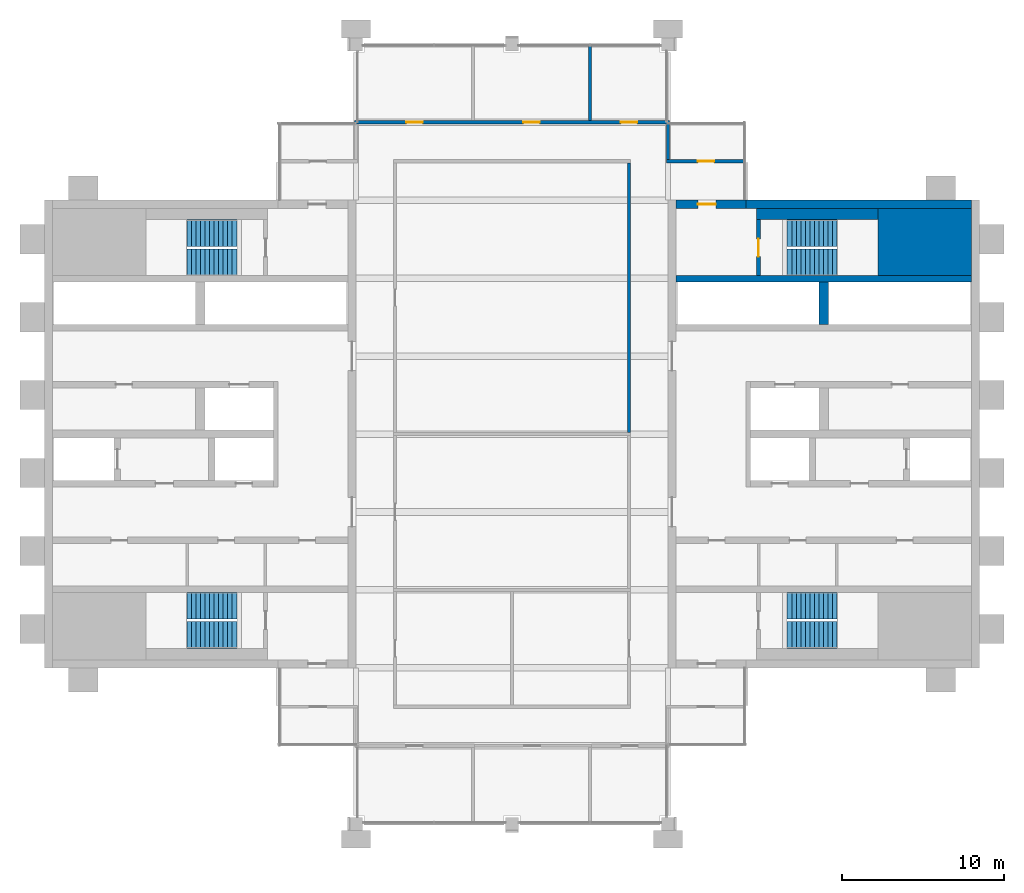
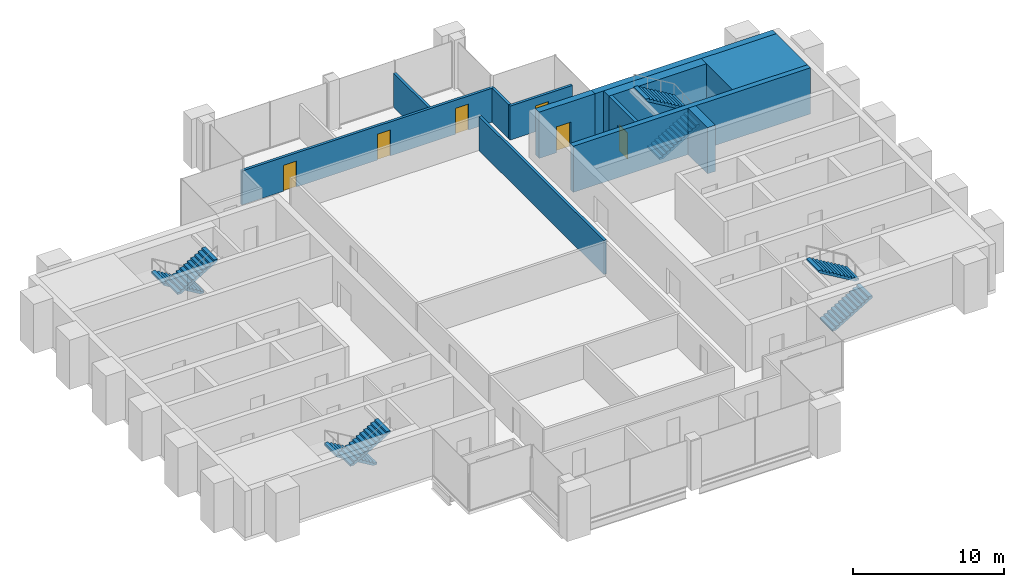
# One storey, part 10 of 11: 12 walls, 8 stair flights, 6 doors, 6 openings, 4 elements without a shape of their own.
"""IFC4 building model written with IfcOpenShell, lengths in metres."""

from ifc_helpers import new_model, si_unit, direction, frame, frame_2d, origin, place, context, subcontext, project, spatial, polyline, rectangle, outline, extrude, material, layer, layer_set, type_object, element, fill, aggregate, save


model = new_model("IFC4")

# Units and contexts
model_context = context("Model", 3, precision=1e-05, world=origin(), true_north=direction((0.0, 1.0)))
body_context = subcontext(model_context, "Body", "Model", "MODEL_VIEW")
ifc_project = project(units=[si_unit("LENGTHUNIT", "METRE"), si_unit("AREAUNIT", "SQUARE_METRE"), si_unit("VOLUMEUNIT", "CUBIC_METRE"), si_unit("PLANEANGLEUNIT", "RADIAN"), si_unit("MASSUNIT", "GRAM", prefix="KILO")], contexts=[model_context])

# Site, building, storey
site_placement = place(None, origin())
site = spatial("IfcSite", under=ifc_project, at=site_placement, CompositionType="ELEMENT")
building_placement = place(site_placement, origin())
building = spatial("IfcBuilding", under=site, at=building_placement, Name="Baori Bourse Tower", CompositionType="ELEMENT")
storey_placement = place(building_placement, frame((0.0, 0.0, 354.300048828125)))
storey = spatial("IfcBuildingStorey", under=building, at=storey_placement, Name="L79", CompositionType="ELEMENT", Elevation=354.300048828125)

# Walls
ifc_material_1 = material(Name="Concrete f'c 40 MPa", Category="concrete")
wall_type_1 = type_object("IfcWallType", Name="Core corner block f'c 40", PredefinedType="SHEAR", material=ifc_material_1)
wall_1_placement = place(storey_placement, frame((51.35009765625, 35.824951171875, 0.0), z_axis=(0.0, 0.0, 1.0), x_axis=(1.0, 0.0, 0.0)))
element("IfcWall", 1, at=wall_1_placement, inside=storey, type_object=wall_type_1, Name="Core wall E22", PredefinedType="SHEAR", context=body_context, shape_type="SweptSolid", body=[
    extrude(rectangle(XDim=5.75, YDim=4.14990234375, at=frame_2d((2.875, 0.0))), origin(), (0.0, 0.0, 1.0), 3.75),
])
ifc_material_2 = material(Name="Concrete f'c 40 MPa", Category="concrete")
ifc_layer_1 = layer(ifc_material_2, 0.5)
ifc_layer_set_1 = layer_set([ifc_layer_1], Name="Core wall 500 f'c 40")
wall_type_2 = type_object("IfcWallType", Name="Core wall 500 f'c 40", PredefinedType="SHEAR", material=ifc_layer_set_1)
wall_2_placement = place(storey_placement, frame((43.199951171875, 38.14990234375, 0.0), z_axis=(0.0, 0.0, 1.0), x_axis=(1.0, 0.0, 0.0)))
element("IfcWall", 2, at=wall_2_placement, inside=storey, type_object=wall_type_2, Name="Core wall E25", PredefinedType="SHEAR", context=body_context, shape_type="SweptSolid", body=[
    extrude(rectangle(XDim=13.900146484375, YDim=0.5, at=frame_2d((6.9501953125, 0.0))), origin(), (0.0, 0.0, 1.0), 3.75),
])

# Wall, opening, door
wall_3_placement = place(storey_placement, frame((38.89990234375, 38.14990234375, 0.0), z_axis=(0.0, 0.0, 1.0), x_axis=(1.0, 0.0, 0.0)))
wall_3 = element("IfcWall", 3, at=wall_3_placement, inside=storey, type_object=wall_type_2, Name="Core wall E26", PredefinedType="SHEAR", context=body_context, shape_type="SweptSolid", body=[
    extrude(rectangle(XDim=4.300048828125, YDim=0.5, at=frame_2d((2.14990234375, 0.0))), origin(), (0.0, 0.0, 1.0), 3.75),
])
opening_1_placement = place(wall_3_placement, frame((1.35009765625, 0.0, 0.0)))
opening_1 = element("IfcOpeningElement", 4, at=opening_1_placement, cuts=wall_3, Name="Opening L79-D204", PredefinedType="OPENING", context=body_context, shape_type="SweptSolid", body=[
    extrude(rectangle(XDim=1.10009765625, YDim=2.10009765625, at=frame_2d((0.550048828125, 1.050048828125))), frame((0.0, 0.260009765625, 0.0), z_axis=(0.0, -1.0, 0.0), x_axis=(1.0, 0.0, 0.0)), (0.0, 0.0, 1.0), 0.52001953125),
])
ifc_material_3 = material(Name="Painted steel door", Category="steel")
door_type_1 = type_object("IfcDoorType", Name="Stair door 1100", OperationType="SINGLE_SWING_LEFT", PredefinedType="DOOR", material=ifc_material_3)
door_1_placement = place(opening_1_placement, origin())
door_1 = element("IfcDoor", 5, at=door_1_placement, inside=storey, type_object=door_type_1, Name="Stair vestibule door B E L79", OperationType="SINGLE_SWING_LEFT", OverallHeight=2.10009765625, OverallWidth=1.10009765625, PredefinedType="DOOR", context=body_context, shape_type="SweptSolid", body=[
    extrude(rectangle(XDim=1.10009765625, YDim=2.10009765625, at=frame_2d((0.550048828125, 1.050048828125))), frame((0.0, 0.02490234375, 0.0), z_axis=(0.0, -1.0, 0.0), x_axis=(1.0, 0.0, 0.0)), (0.0, 0.0, 1.0), 0.050048828125),
])
fill(opening_1, door_1)

ifc_material_4 = material(Name="Gypsum board partition")
ifc_layer_2 = layer(ifc_material_4, 0.199951171875)
ifc_layer_set_2 = layer_set([ifc_layer_2], Name="Plant room wall 200")
wall_type_3 = type_object("IfcWallType", Name="Plant room wall 200", PredefinedType="PARTITIONING", material=ifc_layer_set_2)
wall_4_placement = place(storey_placement, frame((38.300048828125, 40.800048828125, 0.0), z_axis=(0.0, 0.0, 1.0), x_axis=(1.0, 0.0, 0.0)))
wall_4 = element("IfcWall", 6, at=wall_4_placement, inside=storey, type_object=wall_type_3, Name="Partition", PredefinedType="PARTITIONING", context=body_context, shape_type="SweptSolid", body=[
    extrude(rectangle(XDim=4.800048828125, YDim=0.199951171875, at=frame_2d((2.39990234375, 0.0))), origin(), (0.0, 0.0, 1.0), 2.75927734375),
])
opening_2_placement = place(wall_4_placement, frame((1.949951171875, 0.0, 0.0)))
opening_2 = element("IfcOpeningElement", 7, at=opening_2_placement, cuts=wall_4, Name="Opening L79-D07", PredefinedType="OPENING", context=body_context, shape_type="SweptSolid", body=[
    extrude(rectangle(XDim=1.0, YDim=2.10009765625, at=frame_2d((0.5, 1.050048828125))), frame((0.0, 0.10986328125, 0.0), z_axis=(0.0, -1.0, 0.0), x_axis=(1.0, 0.0, 0.0)), (0.0, 0.0, 1.0), 0.219970703125),
])
ifc_material_5 = material(Name="Timber door leaf", Category="wood")
door_type_2 = type_object("IfcDoorType", Name="Door 1000 x 2100", OperationType="SINGLE_SWING_LEFT", PredefinedType="DOOR", material=ifc_material_5)
door_2_placement = place(opening_2_placement, origin())
door_2 = element("IfcDoor", 8, at=door_2_placement, inside=storey, type_object=door_type_2, Name="Door", OperationType="SINGLE_SWING_LEFT", OverallHeight=2.10009765625, OverallWidth=1.0, PredefinedType="DOOR", context=body_context, shape_type="SweptSolid", body=[
    extrude(rectangle(XDim=1.0, YDim=2.10009765625, at=frame_2d((0.5, 1.050048828125))), frame((0.0, 0.02490234375, 0.0), z_axis=(0.0, -1.0, 0.0), x_axis=(1.0, 0.0, 0.0)), (0.0, 0.0, 1.0), 0.050048828125),
])
fill(opening_2, door_2)

# Wall, openings, doors
wall_5_placement = place(storey_placement, frame((19.10009765625, 43.199951171875, 0.0), z_axis=(0.0, 0.0, 1.0), x_axis=(1.0, 0.0, 0.0)))
wall_5 = element("IfcWall", 9, at=wall_5_placement, inside=storey, type_object=wall_type_3, Name="Partition", PredefinedType="PARTITIONING", context=body_context, shape_type="SweptSolid", body=[
    extrude(rectangle(XDim=19.39990234375, YDim=0.199951171875, at=frame_2d((9.699951171875, 0.0))), origin(), (0.0, 0.0, 1.0), 2.75927734375),
])
opening_3_placement = place(wall_5_placement, frame((3.199951171875, 0.0, 0.0)))
opening_3 = element("IfcOpeningElement", 10, at=opening_3_placement, cuts=wall_5, Name="Opening L79-D08", PredefinedType="OPENING", context=body_context, shape_type="SweptSolid", body=[
    extrude(rectangle(XDim=1.0, YDim=2.10009765625, at=frame_2d((0.5, 1.050048828125))), frame((0.0, 0.10986328125, 0.0), z_axis=(0.0, -1.0, 0.0), x_axis=(1.0, 0.0, 0.0)), (0.0, 0.0, 1.0), 0.219970703125),
])
opening_4_placement = place(wall_5_placement, frame((10.39990234375, 0.0, 0.0)))
opening_4 = element("IfcOpeningElement", 11, at=opening_4_placement, cuts=wall_5, Name="Opening L79-D09", PredefinedType="OPENING", context=body_context, shape_type="SweptSolid", body=[
    extrude(rectangle(XDim=1.0, YDim=2.10009765625, at=frame_2d((0.5, 1.050048828125))), frame((0.0, 0.10986328125, 0.0), z_axis=(0.0, -1.0, 0.0), x_axis=(1.0, 0.0, 0.0)), (0.0, 0.0, 1.0), 0.219970703125),
])
opening_5_placement = place(wall_5_placement, frame((16.39990234375, 0.0, 0.0)))
opening_5 = element("IfcOpeningElement", 12, at=opening_5_placement, cuts=wall_5, Name="Opening L79-D10", PredefinedType="OPENING", context=body_context, shape_type="SweptSolid", body=[
    extrude(rectangle(XDim=1.0, YDim=2.10009765625, at=frame_2d((0.5, 1.050048828125))), frame((0.0, 0.10986328125, 0.0), z_axis=(0.0, -1.0, 0.0), x_axis=(1.0, 0.0, 0.0)), (0.0, 0.0, 1.0), 0.219970703125),
])
door_3_placement = place(opening_3_placement, origin())
door_3 = element("IfcDoor", 13, at=door_3_placement, inside=storey, type_object=door_type_2, Name="Door", OperationType="SINGLE_SWING_RIGHT", OverallHeight=2.10009765625, OverallWidth=1.0, PredefinedType="DOOR", context=body_context, shape_type="SweptSolid", body=[
    extrude(rectangle(XDim=1.0, YDim=2.10009765625, at=frame_2d((0.5, 1.050048828125))), frame((0.0, 0.02490234375, 0.0), z_axis=(0.0, -1.0, 0.0), x_axis=(1.0, 0.0, 0.0)), (0.0, 0.0, 1.0), 0.050048828125),
])
fill(opening_3, door_3)
door_4_placement = place(opening_4_placement, origin())
door_4 = element("IfcDoor", 14, at=door_4_placement, inside=storey, type_object=door_type_2, Name="Door", OperationType="SINGLE_SWING_LEFT", OverallHeight=2.10009765625, OverallWidth=1.0, PredefinedType="DOOR", context=body_context, shape_type="SweptSolid", body=[
    extrude(rectangle(XDim=1.0, YDim=2.10009765625, at=frame_2d((0.5, 1.050048828125))), frame((0.0, 0.02490234375, 0.0), z_axis=(0.0, -1.0, 0.0), x_axis=(1.0, 0.0, 0.0)), (0.0, 0.0, 1.0), 0.050048828125),
])
fill(opening_4, door_4)
door_5_placement = place(opening_5_placement, origin())
door_5 = element("IfcDoor", 15, at=door_5_placement, inside=storey, type_object=door_type_2, Name="Door", OperationType="SINGLE_SWING_LEFT", OverallHeight=2.10009765625, OverallWidth=1.0, PredefinedType="DOOR", context=body_context, shape_type="SweptSolid", body=[
    extrude(rectangle(XDim=1.0, YDim=2.10009765625, at=frame_2d((0.5, 1.050048828125))), frame((0.0, 0.02490234375, 0.0), z_axis=(0.0, -1.0, 0.0), x_axis=(1.0, 0.0, 0.0)), (0.0, 0.0, 1.0), 0.050048828125),
])
fill(opening_5, door_5)

# Walls
wall_6_placement = place(storey_placement, frame((33.60009765625, 43.300048828125, 0.0), z_axis=(0.0, 0.0, 1.0), x_axis=(0.0, 1.0, 0.0)))
element("IfcWall", 16, at=wall_6_placement, inside=storey, type_object=wall_type_3, Name="Partition", PredefinedType="PARTITIONING", context=body_context, shape_type="SweptSolid", body=[
    extrude(rectangle(XDim=4.599853515625, YDim=0.199951171875, at=frame_2d((2.2998046875, 0.0))), origin(), (0.0, 0.0, 1.0), 2.75927734375),
])
wall_7_placement = place(storey_placement, frame((36.0, 24.10009765625, 0.0), z_axis=(0.0, 0.0, 1.0), x_axis=(0.0, 1.0, 0.0)))
element("IfcWall", 17, at=wall_7_placement, inside=storey, type_object=wall_type_3, Name="Partition", PredefinedType="PARTITIONING", context=body_context, shape_type="SweptSolid", body=[
    extrude(rectangle(XDim=16.599853515625, YDim=0.199951171875, at=frame_2d((8.2998046875, 0.0))), origin(), (0.0, 0.0, 1.0), 2.75927734375),
])
wall_8_placement = place(storey_placement, frame((38.39990234375, 40.89990234375, 0.0), z_axis=(0.0, 0.0, 1.0), x_axis=(0.0, 1.0, 0.0)))
element("IfcWall", 18, at=wall_8_placement, inside=storey, type_object=wall_type_3, Name="Partition", PredefinedType="PARTITIONING", context=body_context, shape_type="SweptSolid", body=[
    extrude(rectangle(XDim=2.2001953125, YDim=0.199951171875, at=frame_2d((1.10009765625, 0.0))), origin(), (0.0, 0.0, 1.0), 2.75927734375),
])

# Wall, opening, door
ifc_material_6 = material(Name="Concrete f'c 40 MPa", Category="concrete")
ifc_layer_3 = layer(ifc_material_6, 0.25)
ifc_layer_set_3 = layer_set([ifc_layer_3], Name="Shaft wall 250 f'c 40")
wall_type_4 = type_object("IfcWallType", Name="Shaft wall 250 f'c 40", PredefinedType="SHEAR", material=ifc_layer_set_3)
wall_9_placement = place(storey_placement, frame((43.97509765625, 33.75, 0.0), z_axis=(0.0, 0.0, 1.0), x_axis=(0.0, 1.0, 0.0)))
wall_9 = element("IfcWall", 19, at=wall_9_placement, inside=storey, type_object=wall_type_4, Name="Core wall E23", PredefinedType="SHEAR", context=body_context, shape_type="SweptSolid", body=[
    extrude(rectangle(XDim=3.449951171875, YDim=0.25, at=frame_2d((1.72509765625, 0.0))), origin(), (0.0, 0.0, 1.0), 3.75),
])
opening_6_placement = place(wall_9_placement, frame((1.175048828125, 0.0, 0.0)))
opening_6 = element("IfcOpeningElement", 20, at=opening_6_placement, cuts=wall_9, Name="Opening L79-D203", PredefinedType="OPENING", context=body_context, shape_type="SweptSolid", body=[
    extrude(rectangle(XDim=1.10009765625, YDim=2.10009765625, at=frame_2d((0.550048828125, 1.050048828125))), frame((0.0, 0.135009765625, 0.0), z_axis=(0.0, -1.0, 0.0), x_axis=(1.0, 0.0, 0.0)), (0.0, 0.0, 1.0), 0.27001953125),
])
door_6_placement = place(opening_6_placement, origin())
door_6 = element("IfcDoor", 21, at=door_6_placement, inside=storey, type_object=door_type_1, Name="Stair door B E L79", OperationType="SINGLE_SWING_LEFT", OverallHeight=2.10009765625, OverallWidth=1.10009765625, PredefinedType="DOOR", context=body_context, shape_type="SweptSolid", body=[
    extrude(rectangle(XDim=1.10009765625, YDim=2.10009765625, at=frame_2d((0.550048828125, 1.050048828125))), frame((0.0, 0.02490234375, 0.0), z_axis=(0.0, -1.0, 0.0), x_axis=(1.0, 0.0, 0.0)), (0.0, 0.0, 1.0), 0.050048828125),
])
fill(opening_6, door_6)

# Walls
ifc_material_7 = material(Name="Concrete f'c 40 MPa", Category="concrete")
ifc_layer_4 = layer(ifc_material_7, 0.39990234375)
ifc_layer_set_4 = layer_set([ifc_layer_4], Name="Shaft wall 400 f'c 40")
wall_type_5 = type_object("IfcWallType", Name="Shaft wall 400 f'c 40", PredefinedType="SHEAR", material=ifc_layer_set_4)
wall_10_placement = place(storey_placement, frame((38.89990234375, 33.550048828125, 0.0), z_axis=(0.0, 0.0, 1.0), x_axis=(1.0, 0.0, 0.0)))
element("IfcWall", 22, at=wall_10_placement, inside=storey, type_object=wall_type_5, Name="Core wall E21", PredefinedType="SHEAR", context=body_context, shape_type="SweptSolid", body=[
    extrude(rectangle(XDim=18.2001953125, YDim=0.39990234375, at=frame_2d((9.10009765625, 0.0))), origin(), (0.0, 0.0, 1.0), 3.75),
])
ifc_material_8 = material(Name="Concrete f'c 40 MPa", Category="concrete")
ifc_layer_5 = layer(ifc_material_8, 0.60009765625)
ifc_layer_set_5 = layer_set([ifc_layer_5], Name="Shaft wall 600 f'c 40")
wall_type_6 = type_object("IfcWallType", Name="Shaft wall 600 f'c 40", PredefinedType="SHEAR", material=ifc_layer_set_5)
wall_11_placement = place(storey_placement, frame((48.0, 30.75, 0.0), z_axis=(0.0, 0.0, 1.0), x_axis=(0.0, 1.0, 0.0)))
element("IfcWall", 23, at=wall_11_placement, inside=storey, type_object=wall_type_6, Name="Core wall E20", PredefinedType="SHEAR", context=body_context, shape_type="SweptSolid", body=[
    extrude(rectangle(XDim=2.60009765625, YDim=0.60009765625, at=frame_2d((1.300048828125, 0.0))), origin(), (0.0, 0.0, 1.0), 3.75),
])
ifc_material_9 = material(Name="Concrete f'c 40 MPa", Category="concrete")
ifc_layer_6 = layer(ifc_material_9, 0.699951171875)
ifc_layer_set_6 = layer_set([ifc_layer_6], Name="Shaft wall 700 f'c 40")
wall_type_7 = type_object("IfcWallType", Name="Shaft wall 700 f'c 40", PredefinedType="SHEAR", material=ifc_layer_set_6)
wall_12_placement = place(storey_placement, frame((43.85009765625, 37.550048828125, 0.0), z_axis=(0.0, 0.0, 1.0), x_axis=(1.0, 0.0, 0.0)))
element("IfcWall", 24, at=wall_12_placement, inside=storey, type_object=wall_type_7, Name="Core wall E24", PredefinedType="SHEAR", context=body_context, shape_type="SweptSolid", body=[
    extrude(rectangle(XDim=7.5, YDim=0.699951171875, at=frame_2d((3.75, 0.0))), origin(), (0.0, 0.0, 1.0), 3.75),
])

# Stair, stair flights
ifc_material_10 = material(Name="Concrete f'c 50 MPa", Category="concrete")
stair_type = type_object("IfcStairType", Name="Core stair", PredefinedType="HALF_TURN_STAIR", material=ifc_material_10)
stair_1_placement = place(storey_placement, origin())
stair_1 = element("IfcStair", 25, at=stair_1_placement, inside=storey, type_object=stair_type, Name="L79 Stair WA", PredefinedType="HALF_TURN_STAIR")
ifc_material_11 = material(Name="Concrete f'c 50 MPa", Category="concrete")
stair_flight_type = type_object("IfcStairFlightType", Name="Core stair flight", PredefinedType="STRAIGHT", material=ifc_material_11)
stair_flight_1_placement = place(storey_placement, frame((11.85009765625, 13.425048828125, 0.0), z_axis=(0.0, 0.0, 1.0), x_axis=(-1.0, 0.0, 0.0)))
stair_flight_1 = element("IfcStairFlight", 26, at=stair_flight_1_placement, type_object=stair_flight_type, Name="ST1 flight 1", NumberOfRisers=12, NumberOfTreads=11, PredefinedType="STRAIGHT", RiserHeight=0.166666667, TreadLength=0.28, context=body_context, shape_type="SweptSolid", body=[
    extrude(outline(polyline([(0.0, 0.0), (0.0, 0.166748046875), (0.280029296875, 0.166748046875), (0.280029296875, 0.333251953125), (0.56005859375, 0.333251953125), (0.56005859375, 0.5), (0.840087890625, 0.5), (0.840087890625, 0.666748046875), (1.1201171875, 0.666748046875), (1.1201171875, 0.833251953125), (1.39990234375, 0.833251953125), (1.39990234375, 1.0), (1.679931640625, 1.0), (1.679931640625, 1.166748046875), (1.9599609375, 1.166748046875), (1.9599609375, 1.333251953125), (2.239990234375, 1.333251953125), (2.239990234375, 1.5), (2.52001953125, 1.5), (2.52001953125, 1.666748046875), (2.800048828125, 1.666748046875), (2.800048828125, 1.833251953125), (3.080078125, 1.833251953125), (3.080078125, 2.0), (3.080078125, 1.658935546875), (0.29296875, 0.0), (0.0, 0.0)])), frame((0.0, 0.824951171875, 0.0), z_axis=(0.0, -1.0, 0.0), x_axis=(1.0, 0.0, 0.0)), (0.0, 0.0, 1.0), 1.64990234375),
])
stair_flight_2_placement = place(storey_placement, frame((8.77001953125, 11.625, 2.0), z_axis=(0.0, 0.0, 1.0), x_axis=(1.0, 0.0, 0.0)))
stair_flight_2 = element("IfcStairFlight", 27, at=stair_flight_2_placement, type_object=stair_flight_type, Name="ST1 flight 2", NumberOfRisers=12, NumberOfTreads=11, PredefinedType="STRAIGHT", RiserHeight=0.166666667, TreadLength=0.28, context=body_context, shape_type="SweptSolid", body=[
    extrude(outline(polyline([(0.0, 0.0), (0.0, 0.166748046875), (0.280029296875, 0.166748046875), (0.280029296875, 0.333251953125), (0.56005859375, 0.333251953125), (0.56005859375, 0.5), (0.840087890625, 0.5), (0.840087890625, 0.666748046875), (1.1201171875, 0.666748046875), (1.1201171875, 0.833251953125), (1.39990234375, 0.833251953125), (1.39990234375, 1.0), (1.679931640625, 1.0), (1.679931640625, 1.166748046875), (1.9599609375, 1.166748046875), (1.9599609375, 1.333251953125), (2.239990234375, 1.333251953125), (2.239990234375, 1.5), (2.52001953125, 1.5), (2.52001953125, 1.666748046875), (2.800048828125, 1.666748046875), (2.800048828125, 1.833251953125), (3.080078125, 1.833251953125), (3.080078125, 2.0), (3.080078125, 1.658935546875), (0.29296875, 0.0), (0.0, 0.0)])), frame((0.0, 0.824951171875, 0.0), z_axis=(0.0, -1.0, 0.0), x_axis=(1.0, 0.0, 0.0)), (0.0, 0.0, 1.0), 1.64990234375),
])
aggregate(stair_1, [stair_flight_1, stair_flight_2])

stair_2_placement = place(storey_placement, origin())
stair_2 = element("IfcStair", 28, at=stair_2_placement, inside=storey, type_object=stair_type, Name="L79 Stair WB", PredefinedType="HALF_TURN_STAIR")
stair_flight_3_placement = place(storey_placement, frame((11.85009765625, 36.375, 0.0), z_axis=(0.0, 0.0, 1.0), x_axis=(-1.0, 0.0, 0.0)))
stair_flight_3 = element("IfcStairFlight", 29, at=stair_flight_3_placement, type_object=stair_flight_type, Name="ST2 flight 1", NumberOfRisers=12, NumberOfTreads=11, PredefinedType="STRAIGHT", RiserHeight=0.166666667, TreadLength=0.28, context=body_context, shape_type="SweptSolid", body=[
    extrude(outline(polyline([(0.0, 0.0), (0.0, 0.166748046875), (0.280029296875, 0.166748046875), (0.280029296875, 0.333251953125), (0.56005859375, 0.333251953125), (0.56005859375, 0.5), (0.840087890625, 0.5), (0.840087890625, 0.666748046875), (1.1201171875, 0.666748046875), (1.1201171875, 0.833251953125), (1.39990234375, 0.833251953125), (1.39990234375, 1.0), (1.679931640625, 1.0), (1.679931640625, 1.166748046875), (1.9599609375, 1.166748046875), (1.9599609375, 1.333251953125), (2.239990234375, 1.333251953125), (2.239990234375, 1.5), (2.52001953125, 1.5), (2.52001953125, 1.666748046875), (2.800048828125, 1.666748046875), (2.800048828125, 1.833251953125), (3.080078125, 1.833251953125), (3.080078125, 2.0), (3.080078125, 1.658935546875), (0.29296875, 0.0), (0.0, 0.0)])), frame((0.0, 0.824951171875, 0.0), z_axis=(0.0, -1.0, 0.0), x_axis=(1.0, 0.0, 0.0)), (0.0, 0.0, 1.0), 1.64990234375),
])
stair_flight_4_placement = place(storey_placement, frame((8.77001953125, 34.574951171875, 2.0), z_axis=(0.0, 0.0, 1.0), x_axis=(1.0, 0.0, 0.0)))
stair_flight_4 = element("IfcStairFlight", 30, at=stair_flight_4_placement, type_object=stair_flight_type, Name="ST2 flight 2", NumberOfRisers=12, NumberOfTreads=11, PredefinedType="STRAIGHT", RiserHeight=0.166666667, TreadLength=0.28, context=body_context, shape_type="SweptSolid", body=[
    extrude(outline(polyline([(0.0, 0.0), (0.0, 0.166748046875), (0.280029296875, 0.166748046875), (0.280029296875, 0.333251953125), (0.56005859375, 0.333251953125), (0.56005859375, 0.5), (0.840087890625, 0.5), (0.840087890625, 0.666748046875), (1.1201171875, 0.666748046875), (1.1201171875, 0.833251953125), (1.39990234375, 0.833251953125), (1.39990234375, 1.0), (1.679931640625, 1.0), (1.679931640625, 1.166748046875), (1.9599609375, 1.166748046875), (1.9599609375, 1.333251953125), (2.239990234375, 1.333251953125), (2.239990234375, 1.5), (2.52001953125, 1.5), (2.52001953125, 1.666748046875), (2.800048828125, 1.666748046875), (2.800048828125, 1.833251953125), (3.080078125, 1.833251953125), (3.080078125, 2.0), (3.080078125, 1.658935546875), (0.29296875, 0.0), (0.0, 0.0)])), frame((0.0, 0.824951171875, 0.0), z_axis=(0.0, -1.0, 0.0), x_axis=(1.0, 0.0, 0.0)), (0.0, 0.0, 1.0), 1.64990234375),
])
aggregate(stair_2, [stair_flight_3, stair_flight_4])

stair_3_placement = place(storey_placement, origin())
stair_3 = element("IfcStair", 31, at=stair_3_placement, inside=storey, type_object=stair_type, Name="L79 Stair EA", PredefinedType="HALF_TURN_STAIR")
stair_flight_5_placement = place(storey_placement, frame((45.75, 11.625, 0.0), z_axis=(0.0, 0.0, 1.0), x_axis=(1.0, 0.0, 0.0)))
stair_flight_5 = element("IfcStairFlight", 32, at=stair_flight_5_placement, type_object=stair_flight_type, Name="ST3 flight 1", NumberOfRisers=12, NumberOfTreads=11, PredefinedType="STRAIGHT", RiserHeight=0.166666667, TreadLength=0.28, context=body_context, shape_type="SweptSolid", body=[
    extrude(outline(polyline([(0.0, 0.0), (0.0, 0.166748046875), (0.280029296875, 0.166748046875), (0.280029296875, 0.333251953125), (0.56005859375, 0.333251953125), (0.56005859375, 0.5), (0.840087890625, 0.5), (0.840087890625, 0.666748046875), (1.1201171875, 0.666748046875), (1.1201171875, 0.833251953125), (1.39990234375, 0.833251953125), (1.39990234375, 1.0), (1.679931640625, 1.0), (1.679931640625, 1.166748046875), (1.9599609375, 1.166748046875), (1.9599609375, 1.333251953125), (2.239990234375, 1.333251953125), (2.239990234375, 1.5), (2.52001953125, 1.5), (2.52001953125, 1.666748046875), (2.800048828125, 1.666748046875), (2.800048828125, 1.833251953125), (3.080078125, 1.833251953125), (3.080078125, 2.0), (3.080078125, 1.658935546875), (0.29296875, 0.0), (0.0, 0.0)])), frame((0.0, 0.824951171875, 0.0), z_axis=(0.0, -1.0, 0.0), x_axis=(1.0, 0.0, 0.0)), (0.0, 0.0, 1.0), 1.64990234375),
])
stair_flight_6_placement = place(storey_placement, frame((48.830078125, 13.425048828125, 2.0), z_axis=(0.0, 0.0, 1.0), x_axis=(-1.0, 0.0, 0.0)))
stair_flight_6 = element("IfcStairFlight", 33, at=stair_flight_6_placement, type_object=stair_flight_type, Name="ST3 flight 2", NumberOfRisers=12, NumberOfTreads=11, PredefinedType="STRAIGHT", RiserHeight=0.166666667, TreadLength=0.28, context=body_context, shape_type="SweptSolid", body=[
    extrude(outline(polyline([(0.0, 0.0), (0.0, 0.166748046875), (0.280029296875, 0.166748046875), (0.280029296875, 0.333251953125), (0.56005859375, 0.333251953125), (0.56005859375, 0.5), (0.840087890625, 0.5), (0.840087890625, 0.666748046875), (1.1201171875, 0.666748046875), (1.1201171875, 0.833251953125), (1.39990234375, 0.833251953125), (1.39990234375, 1.0), (1.679931640625, 1.0), (1.679931640625, 1.166748046875), (1.9599609375, 1.166748046875), (1.9599609375, 1.333251953125), (2.239990234375, 1.333251953125), (2.239990234375, 1.5), (2.52001953125, 1.5), (2.52001953125, 1.666748046875), (2.800048828125, 1.666748046875), (2.800048828125, 1.833251953125), (3.080078125, 1.833251953125), (3.080078125, 2.0), (3.080078125, 1.658935546875), (0.29296875, 0.0), (0.0, 0.0)])), frame((0.0, 0.824951171875, 0.0), z_axis=(0.0, -1.0, 0.0), x_axis=(1.0, 0.0, 0.0)), (0.0, 0.0, 1.0), 1.64990234375),
])
aggregate(stair_3, [stair_flight_5, stair_flight_6])

stair_4_placement = place(storey_placement, origin())
stair_4 = element("IfcStair", 34, at=stair_4_placement, inside=storey, type_object=stair_type, Name="L79 Stair EB", PredefinedType="HALF_TURN_STAIR")
stair_flight_7_placement = place(storey_placement, frame((45.75, 34.574951171875, 0.0), z_axis=(0.0, 0.0, 1.0), x_axis=(1.0, 0.0, 0.0)))
stair_flight_7 = element("IfcStairFlight", 35, at=stair_flight_7_placement, type_object=stair_flight_type, Name="ST4 flight 1", NumberOfRisers=12, NumberOfTreads=11, PredefinedType="STRAIGHT", RiserHeight=0.166666667, TreadLength=0.28, context=body_context, shape_type="SweptSolid", body=[
    extrude(outline(polyline([(0.0, 0.0), (0.0, 0.166748046875), (0.280029296875, 0.166748046875), (0.280029296875, 0.333251953125), (0.56005859375, 0.333251953125), (0.56005859375, 0.5), (0.840087890625, 0.5), (0.840087890625, 0.666748046875), (1.1201171875, 0.666748046875), (1.1201171875, 0.833251953125), (1.39990234375, 0.833251953125), (1.39990234375, 1.0), (1.679931640625, 1.0), (1.679931640625, 1.166748046875), (1.9599609375, 1.166748046875), (1.9599609375, 1.333251953125), (2.239990234375, 1.333251953125), (2.239990234375, 1.5), (2.52001953125, 1.5), (2.52001953125, 1.666748046875), (2.800048828125, 1.666748046875), (2.800048828125, 1.833251953125), (3.080078125, 1.833251953125), (3.080078125, 2.0), (3.080078125, 1.658935546875), (0.29296875, 0.0), (0.0, 0.0)])), frame((0.0, 0.824951171875, 0.0), z_axis=(0.0, -1.0, 0.0), x_axis=(1.0, 0.0, 0.0)), (0.0, 0.0, 1.0), 1.64990234375),
])
stair_flight_8_placement = place(storey_placement, frame((48.830078125, 36.375, 2.0), z_axis=(0.0, 0.0, 1.0), x_axis=(-1.0, 0.0, 0.0)))
stair_flight_8 = element("IfcStairFlight", 36, at=stair_flight_8_placement, type_object=stair_flight_type, Name="ST4 flight 2", NumberOfRisers=12, NumberOfTreads=11, PredefinedType="STRAIGHT", RiserHeight=0.166666667, TreadLength=0.28, context=body_context, shape_type="SweptSolid", body=[
    extrude(outline(polyline([(0.0, 0.0), (0.0, 0.166748046875), (0.280029296875, 0.166748046875), (0.280029296875, 0.333251953125), (0.56005859375, 0.333251953125), (0.56005859375, 0.5), (0.840087890625, 0.5), (0.840087890625, 0.666748046875), (1.1201171875, 0.666748046875), (1.1201171875, 0.833251953125), (1.39990234375, 0.833251953125), (1.39990234375, 1.0), (1.679931640625, 1.0), (1.679931640625, 1.166748046875), (1.9599609375, 1.166748046875), (1.9599609375, 1.333251953125), (2.239990234375, 1.333251953125), (2.239990234375, 1.5), (2.52001953125, 1.5), (2.52001953125, 1.666748046875), (2.800048828125, 1.666748046875), (2.800048828125, 1.833251953125), (3.080078125, 1.833251953125), (3.080078125, 2.0), (3.080078125, 1.658935546875), (0.29296875, 0.0), (0.0, 0.0)])), frame((0.0, 0.824951171875, 0.0), z_axis=(0.0, -1.0, 0.0), x_axis=(1.0, 0.0, 0.0)), (0.0, 0.0, 1.0), 1.64990234375),
])
aggregate(stair_4, [stair_flight_7, stair_flight_8])

save(model, "model.ifc")
